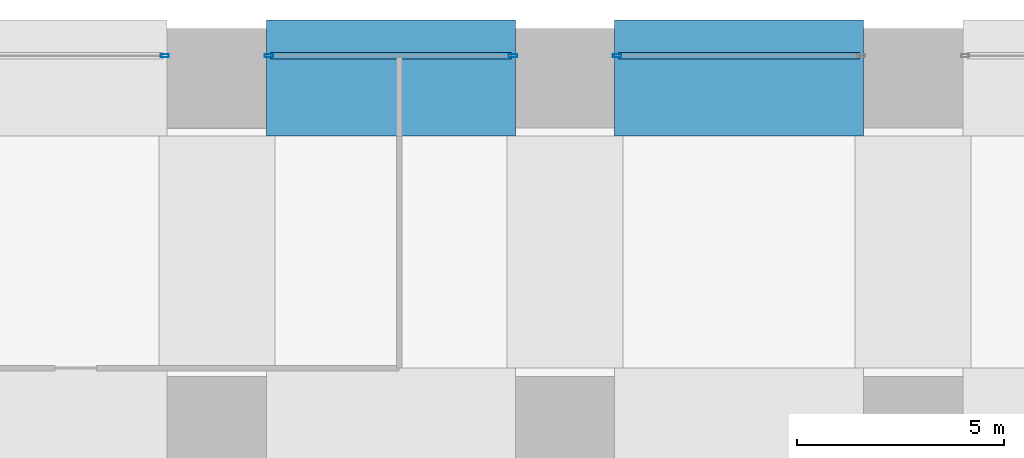
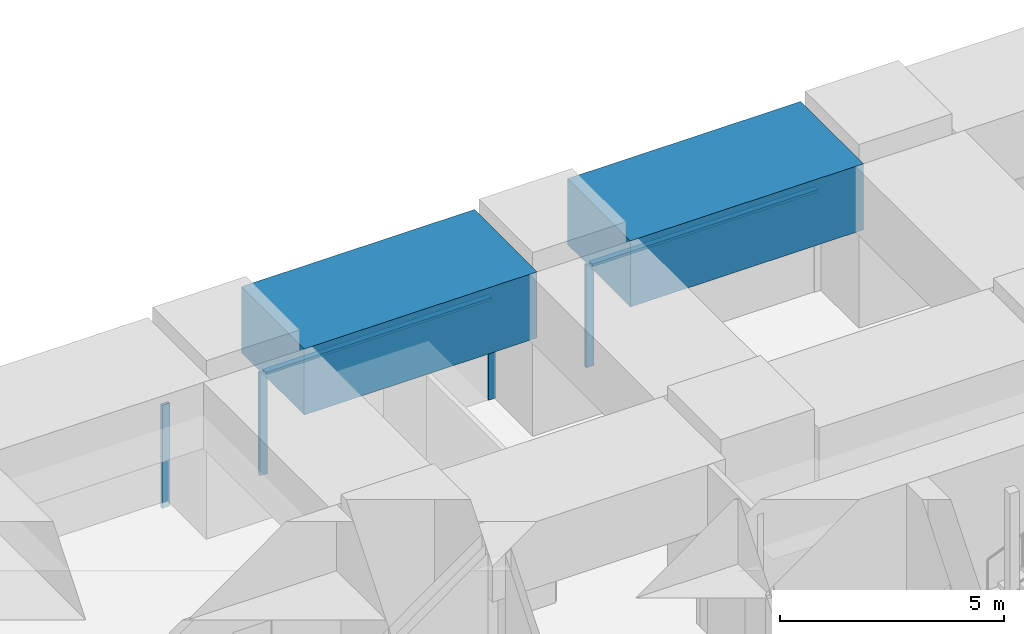
# One storey, part 27 of 52: 6 members, 2 beams, 3 elements without a shape of their own.
"""IFC4 building model written with IfcOpenShell, lengths in metres."""

from ifc_helpers import new_model, si_unit, direction, frame, origin, origin_2d, place, context, subcontext, project, spatial, rectangle, hollow_rectangle, extrude, material, material_profile, profile_set, type_object, element, aggregate, save


model = new_model("IFC4")

# Units and contexts
model_context = context("Model", 3, precision=1e-05, world=origin(), true_north=direction((0.0, 1.0)))
body_context = subcontext(model_context, "Body", "Model", "MODEL_VIEW")
ifc_project = project(units=[si_unit("LENGTHUNIT", "METRE"), si_unit("AREAUNIT", "SQUARE_METRE"), si_unit("VOLUMEUNIT", "CUBIC_METRE"), si_unit("PLANEANGLEUNIT", "RADIAN"), si_unit("MASSUNIT", "GRAM", prefix="KILO")], contexts=[model_context])

# Site, building, storey
site_placement = place(None, origin())
site = spatial("IfcSite", under=ifc_project, at=site_placement, CompositionType="ELEMENT")
building_placement = place(site_placement, origin())
building = spatial("IfcBuilding", under=site, at=building_placement, Name="Rekha Terrace Tower", CompositionType="ELEMENT")
storey_placement = place(building_placement, frame((0.0, 0.0, 20.39990234375)))
storey = spatial("IfcBuildingStorey", under=building, at=storey_placement, Name="L04", CompositionType="ELEMENT", Elevation=20.39990234375)

# Curtain wall, member
ifc_material_1 = material(Name="Aluminium framing", Category="aluminium")
curtain_wall_type = type_object("IfcCurtainWallType", Name="CW4 podium shopfront glazing", PredefinedType="USERDEFINED", material=ifc_material_1)
curtain_wall_1_placement = place(storey_placement, origin())
curtain_wall_1 = element("IfcCurtainWall", 1, at=curtain_wall_1_placement, inside=storey, type_object=curtain_wall_type, Name="CW4 shopfront curtain wall", ObjectType="SHOPFRONT CURTAIN WALL", PredefinedType="USERDEFINED")
ifc_material_2 = material(Name="Aluminium mullion section", Category="aluminium")
ifc_material_profile_1 = material_profile(ifc_material_2, hollow_rectangle(XDim=0.074951171875, YDim=0.199951171875, WallThickness=0.00390625, at=origin_2d()), Name="AL RHS 75x200")
ifc_profile_set_1 = profile_set([ifc_material_profile_1], Name="Aluminium mullion section")
member_type_1 = type_object("IfcMemberType", Name="CW4 mullion RHS 75 x 200", PredefinedType="MULLION", material=ifc_profile_set_1)
member_1_placement = place(storey_placement, frame((43.257568359375, 59.340087890625, 0.0), z_axis=(0.0, 0.0, 1.0), x_axis=(0.0, -1.0, 0.0)))
member_1 = element("IfcMember", 2, at=member_1_placement, type_object=member_type_1, Name="CW4 mullion 2", PredefinedType="MULLION", context=body_context, shape_type="SweptSolid", body=[
    extrude(hollow_rectangle(XDim=0.074951171875, YDim=0.199951171875, WallThickness=0.00390625, at=origin_2d()), origin(), (0.0, 0.0, 1.0), 2.800048828125),
])

# Curtain wall, members
curtain_wall_2_placement = place(storey_placement, origin())
curtain_wall_2 = element("IfcCurtainWall", 3, at=curtain_wall_2_placement, inside=storey, type_object=curtain_wall_type, Name="CW4 shopfront curtain wall", ObjectType="SHOPFRONT CURTAIN WALL", PredefinedType="USERDEFINED")
member_2_placement = place(storey_placement, frame((40.742431640625, 59.340087890625, 0.0), z_axis=(0.0, 0.0, 1.0), x_axis=(0.0, -1.0, 0.0)))
member_2 = element("IfcMember", 4, at=member_2_placement, type_object=member_type_1, Name="CW4 mullion 1", PredefinedType="MULLION", context=body_context, shape_type="SweptSolid", body=[
    extrude(hollow_rectangle(XDim=0.074951171875, YDim=0.199951171875, WallThickness=0.00390625, at=origin_2d()), origin(), (0.0, 0.0, 1.0), 2.800048828125),
])
member_3_placement = place(storey_placement, frame((34.857421875, 59.340087890625, 0.0), z_axis=(0.0, 0.0, 1.0), x_axis=(0.0, -1.0, 0.0)))
member_3 = element("IfcMember", 5, at=member_3_placement, type_object=member_type_1, Name="CW4 mullion 2", PredefinedType="MULLION", context=body_context, shape_type="SweptSolid", body=[
    extrude(hollow_rectangle(XDim=0.074951171875, YDim=0.199951171875, WallThickness=0.00390625, at=origin_2d()), origin(), (0.0, 0.0, 1.0), 2.800048828125),
])

# Curtain wall, member
curtain_wall_3_placement = place(storey_placement, origin())
curtain_wall_3 = element("IfcCurtainWall", 6, at=curtain_wall_3_placement, inside=storey, type_object=curtain_wall_type, Name="CW4 shopfront curtain wall", ObjectType="SHOPFRONT CURTAIN WALL", PredefinedType="USERDEFINED")
member_4_placement = place(storey_placement, frame((32.342529296875, 59.340087890625, 0.0), z_axis=(0.0, 0.0, 1.0), x_axis=(0.0, -1.0, 0.0)))
member_4 = element("IfcMember", 7, at=member_4_placement, type_object=member_type_1, Name="CW4 mullion 1", PredefinedType="MULLION", context=body_context, shape_type="SweptSolid", body=[
    extrude(hollow_rectangle(XDim=0.074951171875, YDim=0.199951171875, WallThickness=0.00390625, at=origin_2d()), origin(), (0.0, 0.0, 1.0), 2.800048828125),
])
aggregate(curtain_wall_3, [member_4])

# Member
ifc_material_3 = material(Name="Aluminium transom section", Category="aluminium")
ifc_material_profile_2 = material_profile(ifc_material_3, hollow_rectangle(XDim=0.14990234375, YDim=0.074951171875, WallThickness=0.0029296875, at=origin_2d()), Name="AL RHS 150x75")
ifc_profile_set_2 = profile_set([ifc_material_profile_2], Name="Aluminium transom section")
member_type_2 = type_object("IfcMemberType", Name="CW4 transom RHS 75 x 150", PredefinedType="USERDEFINED", material=ifc_profile_set_2)
member_5_placement = place(storey_placement, frame((49.10498046875, 59.340087890625, 2.7626953125), z_axis=(-1.0, 0.0, 0.0), x_axis=(0.0, -1.0, 0.0)))
member_5 = element("IfcMember", 8, at=member_5_placement, type_object=member_type_2, Name="CW4 transom 1.2", ObjectType="TRANSOM", PredefinedType="USERDEFINED", context=body_context, shape_type="SweptSolid", body=[
    extrude(hollow_rectangle(XDim=0.14990234375, YDim=0.074951171875, WallThickness=0.0029296875, at=origin_2d()), origin(), (0.0, 0.0, 1.0), 5.81005859375),
])

aggregate(curtain_wall_1, [member_1, member_5])

member_6_placement = place(storey_placement, frame((40.705078125, 59.340087890625, 2.7626953125), z_axis=(-1.0, 0.0, 0.0), x_axis=(0.0, -1.0, 0.0)))
member_6 = element("IfcMember", 9, at=member_6_placement, type_object=member_type_2, Name="CW4 transom 1.2", ObjectType="TRANSOM", PredefinedType="USERDEFINED", context=body_context, shape_type="SweptSolid", body=[
    extrude(hollow_rectangle(XDim=0.14990234375, YDim=0.074951171875, WallThickness=0.0029296875, at=origin_2d()), origin(), (0.0, 0.0, 1.0), 5.81005859375),
])

aggregate(curtain_wall_2, [member_2, member_3, member_6])

# Beams
ifc_material_4 = material(Name="Concrete M70", Category="concrete")
ifc_material_profile_3 = material_profile(ifc_material_4, rectangle(XDim=2.800048828125, YDim=1.800048828125, at=origin_2d()), Name="RC 2800x1800")
ifc_profile_set_3 = profile_set([ifc_material_profile_3], Name="Concrete M70")
beam_type = type_object("IfcBeamType", Name="G2 2800x1800 podium roof band beam", PredefinedType="BEAM", material=ifc_profile_set_3)
for number, where, z_axis, x_axis, name in (
    (10, (34.800048828125, 58.800048828125, 3.7001953125), (1.0, 0.0, 0.0), (0.0, 1.0, 0.0), "Beam G2 5H-6H under L05"),
    (11, (43.199951171875, 58.800048828125, 3.7001953125), (1.0, 0.0, 0.0), (0.0, 1.0, 0.0), "Beam G2 6H-7H under L05"),
):
    element("IfcBeam", number, at=place(storey_placement, frame(where, z_axis=z_axis, x_axis=x_axis)), inside=storey, type_object=beam_type, Name=name, PredefinedType="BEAM", context=body_context, shape_type="SweptSolid", body=[
        extrude(rectangle(XDim=2.800048828125, YDim=1.800048828125, at=origin_2d()), origin(), (0.0, 0.0, 1.0), 6.0),
    ])

save(model, "model.ifc")
